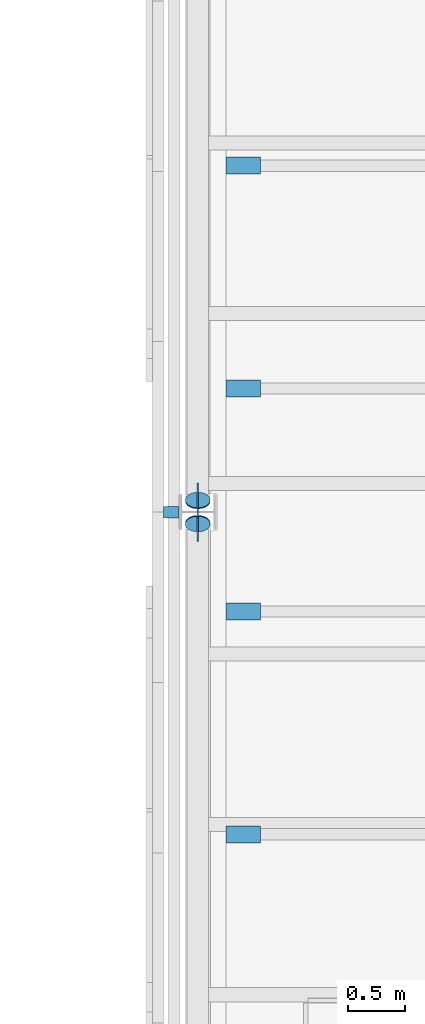
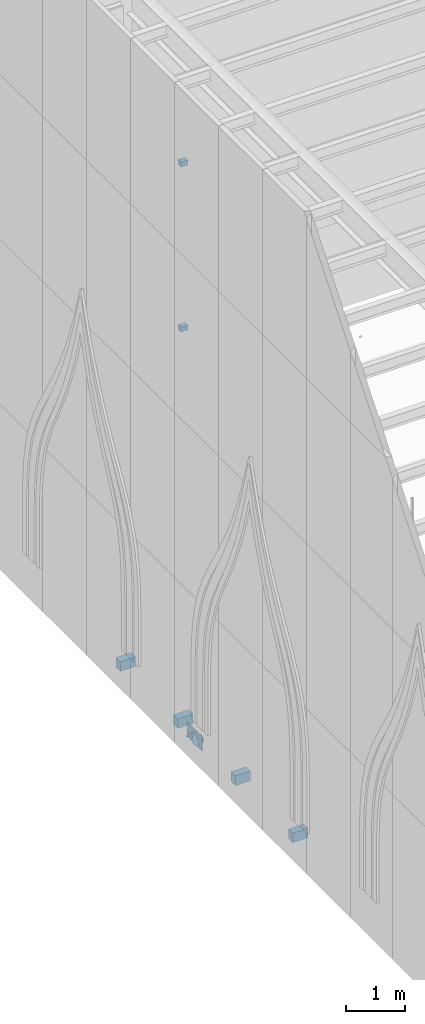
# One storey, part 20 of 43: 10 discrete accessories.
"""IFC4 building model written with IfcOpenShell, lengths in metres."""

from ifc_helpers import new_model, si_unit, direction, frame, origin, origin_2d, place, context, subcontext, project, spatial, rectangle, circle, extrude, material, material_profile, profile_set, type_object, element, save


model = new_model("IFC4")

# Units and contexts
model_context = context("Model", 3, precision=1e-05, world=origin(), true_north=direction((0.0, 1.0)))
body_context = subcontext(model_context, "Body", "Model", "MODEL_VIEW")
ifc_project = project(units=[si_unit("LENGTHUNIT", "METRE"), si_unit("AREAUNIT", "SQUARE_METRE"), si_unit("VOLUMEUNIT", "CUBIC_METRE"), si_unit("PLANEANGLEUNIT", "RADIAN"), si_unit("MASSUNIT", "GRAM", prefix="KILO")], contexts=[model_context])

# Site, building, storey
site_placement = place(None, origin())
site = spatial("IfcSite", under=ifc_project, at=site_placement, CompositionType="ELEMENT")
building_placement = place(site_placement, origin())
building = spatial("IfcBuilding", under=site, at=building_placement, Name="Saffron Lane Theatres", CompositionType="ELEMENT")
storey_placement = place(building_placement, frame((0.0, 0.0, 23.0)))
storey = spatial("IfcBuildingStorey", under=building, at=storey_placement, Name="Roof", CompositionType="ELEMENT", Elevation=23.0)

# Discrete accessories
ifc_material_1 = material(Name="Steel Grade 350", Category="steel")
ifc_material_profile_1 = material_profile(ifc_material_1, rectangle(XDim=0.300048828125, YDim=0.300048828125, at=origin_2d()))
ifc_profile_set_1 = profile_set([ifc_material_profile_1], Name="Steel Grade 350")
discrete_accessory_type_1 = type_object("IfcDiscreteAccessoryType", Name="ST-GUSSET CONNECTION PLATE", PredefinedType="BRACKET", material=ifc_profile_set_1)
for number, where, z_axis, x_axis, name in (
    (1, (18.2451171875, 41.89453125, 0.085205078125), (1.0, 0.0, 0.0), (0.0, 1.0, 0.0), "GB141"),
    (2, (18.2451171875, 42.10546875, 0.085205078125), (1.0, 0.0, 0.0), (0.0, 1.0, 0.0), "GB145"),
):
    element("IfcDiscreteAccessory", number, at=place(storey_placement, frame(where, z_axis=z_axis, x_axis=x_axis)), inside=storey, type_object=discrete_accessory_type_1, Name=name, PredefinedType="BRACKET", context=body_context, shape_type="SweptSolid", body=[
        extrude(rectangle(XDim=0.300048828125, YDim=0.300048828125, at=origin_2d()), origin(), (0.0, 0.0, 1.0), 0.009765625),
    ])
ifc_material_2 = material(Name="Steel Grade 350", Category="steel")
ifc_material_profile_2 = material_profile(ifc_material_2, circle(Radius=0.109619140625, at=origin_2d()))
ifc_profile_set_2 = profile_set([ifc_material_profile_2], Name="Steel Grade 350")
discrete_accessory_type_2 = type_object("IfcDiscreteAccessoryType", Name="ST-STEEL END CAP 219.1x8.2 CHS", PredefinedType="ANCHORPLATE", material=ifc_profile_set_2)
for number, where, z_axis, x_axis, name in (
    (3, (18.25, 41.904052734375, 0.07763671875), (0.0, -0.782823254756, 0.622244125575), (1.0, 0.0, 0.0), "EC87"),
    (4, (18.25, 42.095947265625, 0.07763671875), (0.0, 0.782823254756, 0.622244125575), (-1.0, 0.0, 0.0), "EC91"),
):
    element("IfcDiscreteAccessory", number, at=place(storey_placement, frame(where, z_axis=z_axis, x_axis=x_axis)), inside=storey, type_object=discrete_accessory_type_2, Name=name, PredefinedType="ANCHORPLATE", context=body_context, shape_type="SweptSolid", body=[
        extrude(circle(Radius=0.109619140625, at=origin_2d()), origin(), (0.0, 0.0, 1.0), 0.01220703125),
    ])
for number, where, z_axis, x_axis, name in (
    (5, (18.64990234375, 39.16259765625, -0.44775390625), (0.0, 0.0, 1.0), (1.0, 0.0, 0.0), "FKW23-3"),
    (6, (18.64990234375, 41.125, -0.44775390625), (0.0, 0.0, 1.0), (1.0, 0.0, 0.0), "FKW23-4"),
    (7, (18.64990234375, 43.08740234375, -0.44775390625), (0.0, 0.0, 1.0), (1.0, 0.0, 0.0), "FKW23-5"),
    (8, (18.64990234375, 45.050048828125, -0.44775390625), (0.0, 0.0, 1.0), (1.0, 0.0, 0.0), "FKW23-6"),
):
    element("IfcDiscreteAccessory", number, at=place(storey_placement, frame(where, z_axis=z_axis, x_axis=x_axis)), inside=storey, Name=name, PredefinedType="BRACKET", context=body_context, shape_type="SweptSolid", body=[
        extrude(rectangle(XDim=0.300048828125, YDim=0.14990234375, at=origin_2d()), origin(), (0.0, 0.0, 1.0), 0.199951171875),
    ])
for number, where, z_axis, x_axis, name in (
    (9, (18.018310546875, 42.0, 8.643798828125), (0.0, 0.0, 1.0), (0.0, 1.0, 0.0), "Tower panel bracket 59"),
    (10, (18.018310546875, 42.0, 12.081298828125), (0.0, 0.0, 1.0), (0.0, 1.0, 0.0), "Tower panel bracket 60"),
):
    element("IfcDiscreteAccessory", number, at=place(storey_placement, frame(where, z_axis=z_axis, x_axis=x_axis)), inside=storey, Name=name, PredefinedType="BRACKET", context=body_context, shape_type="SweptSolid", body=[
        extrude(rectangle(XDim=0.10009765625, YDim=0.136474609375, at=origin_2d()), origin(), (0.0, 0.0, 1.0), 0.10009765625),
    ])

save(model, "model.ifc")
